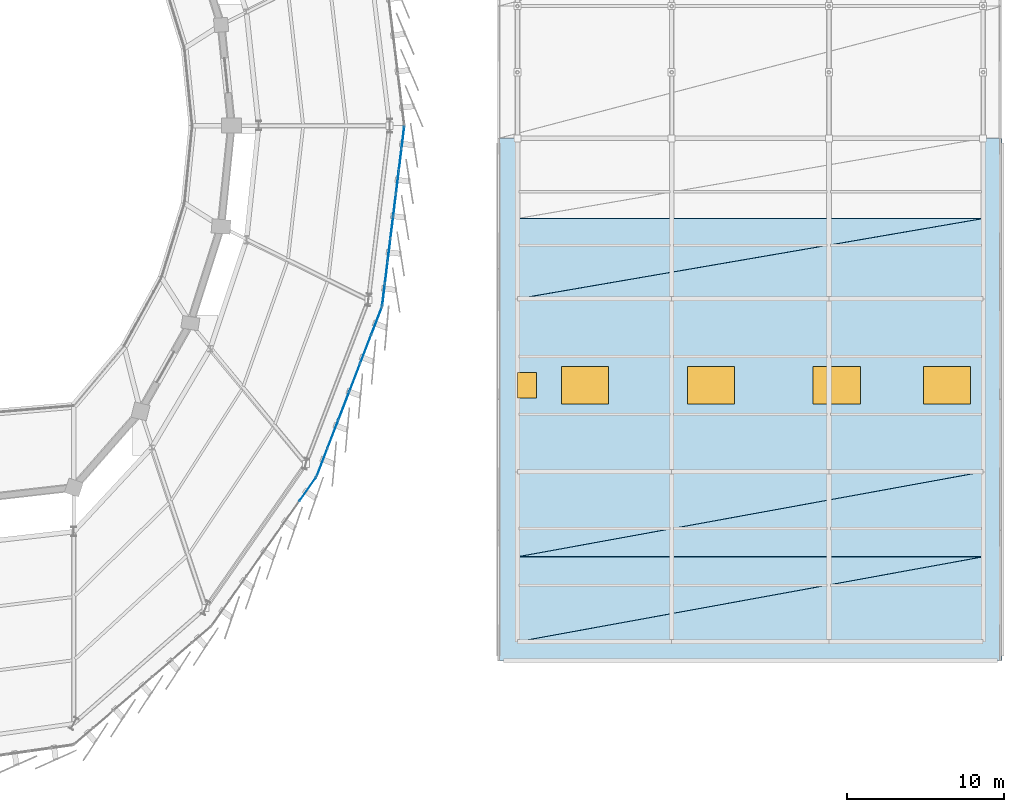
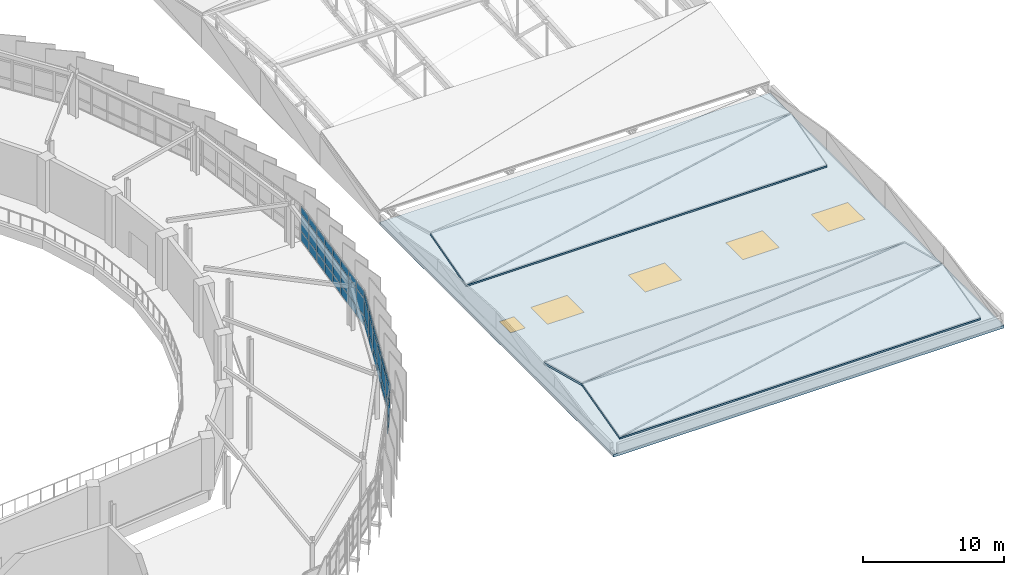
# One storey, part 70 of 87: 45 plates, 7 slabs, 4 windows, 1 door, 5 openings, 3 elements without a shape of their own.
"""IFC4 building model written with IfcOpenShell, lengths in metres."""

from ifc_helpers import new_model, si_unit, direction, frame, origin, origin_2d, place, context, subcontext, project, spatial, polyline, rectangle, outline, extrude, material, layer, layer_set, type_object, element, fill, aggregate, save


model = new_model("IFC4")

# Units and contexts
model_context = context("Model", 3, precision=1e-05, world=origin(), true_north=direction((0.0, 1.0)))
body_context = subcontext(model_context, "Body", "Model", "MODEL_VIEW")
ifc_project = project(units=[si_unit("LENGTHUNIT", "METRE"), si_unit("AREAUNIT", "SQUARE_METRE"), si_unit("VOLUMEUNIT", "CUBIC_METRE"), si_unit("PLANEANGLEUNIT", "RADIAN"), si_unit("MASSUNIT", "GRAM", prefix="KILO")], contexts=[model_context])

# Site, building, storey
site_placement = place(None, origin())
site = spatial("IfcSite", under=ifc_project, at=site_placement, CompositionType="ELEMENT")
building_placement = place(site_placement, origin())
building = spatial("IfcBuilding", under=site, at=building_placement, Name="Sohan Crest Arena", CompositionType="ELEMENT")
storey_placement = place(building_placement, frame((0.0, 0.0, 18.0)))
storey = spatial("IfcBuildingStorey", under=building, at=storey_placement, Name="L04", CompositionType="ELEMENT", Elevation=18.0)

# Curtain wall, plates
ifc_material_1 = material(Name="Thermally broken anodised aluminium", Category="aluminium")
ifc_layer_1 = layer(ifc_material_1, 0.219970703125, Name="Thermally broken anodised aluminium")
ifc_layer_set_1 = layer_set([ifc_layer_1], Name="Thermally broken anodised aluminium")
curtain_wall_type_1 = type_object("IfcCurtainWallType", Name="ARC-CW03", PredefinedType="NOTDEFINED", material=ifc_layer_set_1)
curtain_wall_1_placement = place(storey_placement, origin())
curtain_wall_1 = element("IfcCurtainWall", 1, at=curtain_wall_1_placement, inside=storey, type_object=curtain_wall_type_1, Name="Unitised curtain wall CW-132", PredefinedType="NOTDEFINED")
ifc_material_2 = material(Name="Low-E double-glazed insulated glass", Category="glass")
ifc_layer_2 = layer(ifc_material_2, 0.028076171875, Name="Low-E double-glazed insulated glass")
ifc_layer_set_2 = layer_set([ifc_layer_2], Name="Low-E double-glazed insulated glass")
plate_type_1 = type_object("IfcPlateType", Name="ARC-CNP01", PredefinedType="CURTAIN_PANEL", material=ifc_layer_set_2)
plate_1_placement = place(storey_placement, frame((182.866943359375, 54.893310546875, 0.070068359375), z_axis=(0.0, 0.0, 1.0), x_axis=(0.575424969546, 0.817854574128, 0.0)))
plate_1 = element("IfcPlate", 2, at=plate_1_placement, type_object=plate_type_1, Name="CW-132 panel 6.1", PredefinedType="CURTAIN_PANEL", context=body_context, shape_type="SweptSolid", body=[
    extrude(rectangle(XDim=1.840576171875, YDim=0.028076171875, at=origin_2d()), origin(), (0.0, 0.0, 1.0), 0.794921875),
])
plate_2_placement = place(storey_placement, frame((182.866943359375, 54.893310546875, 0.93505859375), z_axis=(0.0, 0.0, 1.0), x_axis=(0.575424969546, 0.817854574128, 0.0)))
plate_2 = element("IfcPlate", 3, at=plate_2_placement, type_object=plate_type_1, Name="CW-132 panel 6.2", PredefinedType="CURTAIN_PANEL", context=body_context, shape_type="SweptSolid", body=[
    extrude(rectangle(XDim=1.840576171875, YDim=0.028076171875, at=origin_2d()), origin(), (0.0, 0.0, 1.0), 1.449951171875),
])
plate_3_placement = place(storey_placement, frame((182.866943359375, 54.893310546875, 2.455078125), z_axis=(0.0, 0.0, 1.0), x_axis=(0.575424969546, 0.817854574128, 0.0)))
plate_3 = element("IfcPlate", 4, at=plate_3_placement, type_object=plate_type_1, Name="CW-132 panel 6.3", PredefinedType="CURTAIN_PANEL", context=body_context, shape_type="SweptSolid", body=[
    extrude(rectangle(XDim=1.840576171875, YDim=0.028076171875, at=origin_2d()), origin(), (0.0, 0.0, 1.0), 0.594970703125),
])
aggregate(curtain_wall_1, [plate_1, plate_2, plate_3])

ifc_layer_3 = layer(ifc_material_1, 0.239990234375, Name="Thermally broken anodised aluminium")
ifc_layer_set_3 = layer_set([ifc_layer_3], Name="Thermally broken anodised aluminium")
curtain_wall_type_2 = type_object("IfcCurtainWallType", Name="ARC-CW04", PredefinedType="NOTDEFINED", material=ifc_layer_set_3)
curtain_wall_2_placement = place(storey_placement, origin())
curtain_wall_2 = element("IfcCurtainWall", 5, at=curtain_wall_2_placement, inside=storey, type_object=curtain_wall_type_2, Name="Unitised curtain wall CW-133", PredefinedType="NOTDEFINED")
ifc_layer_4 = layer(ifc_material_2, 0.031982421875, Name="Low-E double-glazed insulated glass")
ifc_layer_set_4 = layer_set([ifc_layer_4], Name="Low-E double-glazed insulated glass")
plate_type_2 = type_object("IfcPlateType", Name="ARC-CNP02", PredefinedType="CURTAIN_PANEL", material=ifc_layer_set_4)
plate_4_placement = place(storey_placement, frame((183.783935546875, 56.61083984375, 0.06005859375), z_axis=(0.0, 0.0, 1.0), x_axis=(0.359632663337, 0.933093964969, 0.0)))
plate_4 = element("IfcPlate", 6, at=plate_4_placement, type_object=plate_type_2, Name="CW-133 panel 1.1", PredefinedType="CURTAIN_PANEL", context=body_context, shape_type="SweptSolid", body=[
    extrude(rectangle(XDim=1.833251953125, YDim=0.031982421875, at=origin_2d()), origin(), (0.0, 0.0, 1.0), 0.81005859375),
])
plate_5_placement = place(storey_placement, frame((183.783935546875, 56.61083984375, 0.929931640625), z_axis=(0.0, 0.0, 1.0), x_axis=(0.359632663337, 0.933093964969, 0.0)))
plate_5 = element("IfcPlate", 7, at=plate_5_placement, type_object=plate_type_2, Name="CW-133 panel 1.2", PredefinedType="CURTAIN_PANEL", context=body_context, shape_type="SweptSolid", body=[
    extrude(rectangle(XDim=1.833251953125, YDim=0.031982421875, at=origin_2d()), origin(), (0.0, 0.0, 1.0), 1.4599609375),
])
plate_6_placement = place(storey_placement, frame((183.783935546875, 56.61083984375, 2.44970703125), z_axis=(0.0, 0.0, 1.0), x_axis=(0.359632663337, 0.933093964969, 0.0)))
plate_6 = element("IfcPlate", 8, at=plate_6_placement, type_object=plate_type_2, Name="CW-133 panel 1.3", PredefinedType="CURTAIN_PANEL", context=body_context, shape_type="SweptSolid", body=[
    extrude(rectangle(XDim=1.833251953125, YDim=0.031982421875, at=origin_2d()), origin(), (0.0, 0.0, 1.0), 0.610107421875),
])
plate_7_placement = place(storey_placement, frame((184.472412109375, 58.397216796875, 0.06005859375), z_axis=(0.0, 0.0, 1.0), x_axis=(0.359632663337, 0.933093964969, 0.0)))
plate_7 = element("IfcPlate", 9, at=plate_7_placement, type_object=plate_type_2, Name="CW-133 panel 2.1", PredefinedType="CURTAIN_PANEL", context=body_context, shape_type="SweptSolid", body=[
    extrude(rectangle(XDim=1.86572265625, YDim=0.031982421875, at=origin_2d()), origin(), (0.0, 0.0, 1.0), 0.81005859375),
])
plate_8_placement = place(storey_placement, frame((184.472412109375, 58.397216796875, 0.929931640625), z_axis=(0.0, 0.0, 1.0), x_axis=(0.359632663337, 0.933093964969, 0.0)))
plate_8 = element("IfcPlate", 10, at=plate_8_placement, type_object=plate_type_2, Name="CW-133 panel 2.2", PredefinedType="CURTAIN_PANEL", context=body_context, shape_type="SweptSolid", body=[
    extrude(rectangle(XDim=1.86572265625, YDim=0.031982421875, at=origin_2d()), origin(), (0.0, 0.0, 1.0), 1.4599609375),
])
plate_9_placement = place(storey_placement, frame((184.472412109375, 58.397216796875, 2.44970703125), z_axis=(0.0, 0.0, 1.0), x_axis=(0.359632663337, 0.933093964969, 0.0)))
plate_9 = element("IfcPlate", 11, at=plate_9_placement, type_object=plate_type_2, Name="CW-133 panel 2.3", PredefinedType="CURTAIN_PANEL", context=body_context, shape_type="SweptSolid", body=[
    extrude(rectangle(XDim=1.86572265625, YDim=0.031982421875, at=origin_2d()), origin(), (0.0, 0.0, 1.0), 0.610107421875),
])
plate_10_placement = place(storey_placement, frame((185.166748046875, 60.19873046875, 0.06005859375), z_axis=(0.0, 0.0, 1.0), x_axis=(0.359632663337, 0.933093964969, 0.0)))
plate_10 = element("IfcPlate", 12, at=plate_10_placement, type_object=plate_type_2, Name="CW-133 panel 3.1", PredefinedType="CURTAIN_PANEL", context=body_context, shape_type="SweptSolid", body=[
    extrude(rectangle(XDim=1.86572265625, YDim=0.031982421875, at=origin_2d()), origin(), (0.0, 0.0, 1.0), 0.81005859375),
])
plate_11_placement = place(storey_placement, frame((185.166748046875, 60.19873046875, 0.929931640625), z_axis=(0.0, 0.0, 1.0), x_axis=(0.359632663337, 0.933093964969, 0.0)))
plate_11 = element("IfcPlate", 13, at=plate_11_placement, type_object=plate_type_2, Name="CW-133 panel 3.2", PredefinedType="CURTAIN_PANEL", context=body_context, shape_type="SweptSolid", body=[
    extrude(rectangle(XDim=1.86572265625, YDim=0.031982421875, at=origin_2d()), origin(), (0.0, 0.0, 1.0), 1.4599609375),
])
plate_12_placement = place(storey_placement, frame((185.166748046875, 60.19873046875, 2.44970703125), z_axis=(0.0, 0.0, 1.0), x_axis=(0.359632663337, 0.933093964969, 0.0)))
plate_12 = element("IfcPlate", 14, at=plate_12_placement, type_object=plate_type_2, Name="CW-133 panel 3.3", PredefinedType="CURTAIN_PANEL", context=body_context, shape_type="SweptSolid", body=[
    extrude(rectangle(XDim=1.86572265625, YDim=0.031982421875, at=origin_2d()), origin(), (0.0, 0.0, 1.0), 0.610107421875),
])
plate_13_placement = place(storey_placement, frame((185.861083984375, 62.000244140625, 0.06005859375), z_axis=(0.0, 0.0, 1.0), x_axis=(0.359632663337, 0.933093964969, 0.0)))
plate_13 = element("IfcPlate", 15, at=plate_13_placement, type_object=plate_type_2, Name="CW-133 panel 4.1", PredefinedType="CURTAIN_PANEL", context=body_context, shape_type="SweptSolid", body=[
    extrude(rectangle(XDim=1.86572265625, YDim=0.031982421875, at=origin_2d()), origin(), (0.0, 0.0, 1.0), 0.81005859375),
])
plate_14_placement = place(storey_placement, frame((185.861083984375, 62.000244140625, 0.929931640625), z_axis=(0.0, 0.0, 1.0), x_axis=(0.359632663337, 0.933093964969, 0.0)))
plate_14 = element("IfcPlate", 16, at=plate_14_placement, type_object=plate_type_2, Name="CW-133 panel 4.2", PredefinedType="CURTAIN_PANEL", context=body_context, shape_type="SweptSolid", body=[
    extrude(rectangle(XDim=1.86572265625, YDim=0.031982421875, at=origin_2d()), origin(), (0.0, 0.0, 1.0), 1.4599609375),
])
plate_15_placement = place(storey_placement, frame((185.861083984375, 62.000244140625, 2.44970703125), z_axis=(0.0, 0.0, 1.0), x_axis=(0.359632663337, 0.933093964969, 0.0)))
plate_15 = element("IfcPlate", 17, at=plate_15_placement, type_object=plate_type_2, Name="CW-133 panel 4.3", PredefinedType="CURTAIN_PANEL", context=body_context, shape_type="SweptSolid", body=[
    extrude(rectangle(XDim=1.86572265625, YDim=0.031982421875, at=origin_2d()), origin(), (0.0, 0.0, 1.0), 0.610107421875),
])
plate_16_placement = place(storey_placement, frame((186.555419921875, 63.8017578125, 0.06005859375), z_axis=(0.0, 0.0, 1.0), x_axis=(0.359632663337, 0.933093964969, 0.0)))
plate_16 = element("IfcPlate", 18, at=plate_16_placement, type_object=plate_type_2, Name="CW-133 panel 5.1", PredefinedType="CURTAIN_PANEL", context=body_context, shape_type="SweptSolid", body=[
    extrude(rectangle(XDim=1.86572265625, YDim=0.031982421875, at=origin_2d()), origin(), (0.0, 0.0, 1.0), 0.81005859375),
])
plate_17_placement = place(storey_placement, frame((186.555419921875, 63.8017578125, 0.929931640625), z_axis=(0.0, 0.0, 1.0), x_axis=(0.359632663337, 0.933093964969, 0.0)))
plate_17 = element("IfcPlate", 19, at=plate_17_placement, type_object=plate_type_2, Name="CW-133 panel 5.2", PredefinedType="CURTAIN_PANEL", context=body_context, shape_type="SweptSolid", body=[
    extrude(rectangle(XDim=1.86572265625, YDim=0.031982421875, at=origin_2d()), origin(), (0.0, 0.0, 1.0), 1.4599609375),
])
plate_18_placement = place(storey_placement, frame((186.555419921875, 63.8017578125, 2.44970703125), z_axis=(0.0, 0.0, 1.0), x_axis=(0.359632663337, 0.933093964969, 0.0)))
plate_18 = element("IfcPlate", 20, at=plate_18_placement, type_object=plate_type_2, Name="CW-133 panel 5.3", PredefinedType="CURTAIN_PANEL", context=body_context, shape_type="SweptSolid", body=[
    extrude(rectangle(XDim=1.86572265625, YDim=0.031982421875, at=origin_2d()), origin(), (0.0, 0.0, 1.0), 0.610107421875),
])
plate_19_placement = place(storey_placement, frame((187.243896484375, 65.588134765625, 0.06005859375), z_axis=(0.0, 0.0, 1.0), x_axis=(0.359632663337, 0.933093964969, 0.0)))
plate_19 = element("IfcPlate", 21, at=plate_19_placement, type_object=plate_type_2, Name="CW-133 panel 6.1", PredefinedType="CURTAIN_PANEL", context=body_context, shape_type="SweptSolid", body=[
    extrude(rectangle(XDim=1.833251953125, YDim=0.031982421875, at=origin_2d()), origin(), (0.0, 0.0, 1.0), 0.81005859375),
])
plate_20_placement = place(storey_placement, frame((187.243896484375, 65.588134765625, 0.929931640625), z_axis=(0.0, 0.0, 1.0), x_axis=(0.359632663337, 0.933093964969, 0.0)))
plate_20 = element("IfcPlate", 22, at=plate_20_placement, type_object=plate_type_2, Name="CW-133 panel 6.2", PredefinedType="CURTAIN_PANEL", context=body_context, shape_type="SweptSolid", body=[
    extrude(rectangle(XDim=1.833251953125, YDim=0.031982421875, at=origin_2d()), origin(), (0.0, 0.0, 1.0), 1.4599609375),
])
plate_21_placement = place(storey_placement, frame((187.243896484375, 65.588134765625, 2.44970703125), z_axis=(0.0, 0.0, 1.0), x_axis=(0.359632663337, 0.933093964969, 0.0)))
plate_21 = element("IfcPlate", 23, at=plate_21_placement, type_object=plate_type_2, Name="CW-133 panel 6.3", PredefinedType="CURTAIN_PANEL", context=body_context, shape_type="SweptSolid", body=[
    extrude(rectangle(XDim=1.833251953125, YDim=0.031982421875, at=origin_2d()), origin(), (0.0, 0.0, 1.0), 0.610107421875),
])
aggregate(curtain_wall_2, [plate_4, plate_5, plate_6, plate_7, plate_8, plate_9, plate_10, plate_11, plate_12, plate_13, plate_14, plate_15, plate_16, plate_17, plate_18, plate_19, plate_20, plate_21])

ifc_layer_5 = layer(ifc_material_1, 0.18994140625, Name="Thermally broken anodised aluminium")
ifc_layer_set_5 = layer_set([ifc_layer_5], Name="Thermally broken anodised aluminium")
curtain_wall_type_3 = type_object("IfcCurtainWallType", Name="ARC-CW05", PredefinedType="NOTDEFINED", material=ifc_layer_set_5)
curtain_wall_3_placement = place(storey_placement, origin())
curtain_wall_3 = element("IfcCurtainWall", 24, at=curtain_wall_3_placement, inside=storey, type_object=curtain_wall_type_3, Name="Unitised curtain wall CW-134", PredefinedType="NOTDEFINED")
ifc_material_3 = material(Name="Ceramic-fritted solar-control insulated glass", Category="glass")
ifc_layer_6 = layer(ifc_material_3, 0.035888671875, Name="Ceramic-fritted solar-control insulated glass")
ifc_layer_set_6 = layer_set([ifc_layer_6], Name="Ceramic-fritted solar-control insulated glass")
plate_type_3 = type_object("IfcPlateType", Name="ARC-CNP03", PredefinedType="CURTAIN_PANEL", material=ifc_layer_set_6)
plate_22_placement = place(storey_placement, frame((187.687744140625, 67.239990234375, 0.06494140625), z_axis=(0.0, 0.0, 1.0), x_axis=(0.122334448372, 0.992488933309, 0.0)))
plate_22 = element("IfcPlate", 25, at=plate_22_placement, type_object=plate_type_3, Name="CW-134 panel 1.1", PredefinedType="CURTAIN_PANEL", context=body_context, shape_type="SweptSolid", body=[
    extrude(rectangle(XDim=1.3427734375, YDim=0.035888671875, at=origin_2d()), origin(), (0.0, 0.0, 1.0), 0.802490234375),
])
plate_23_placement = place(storey_placement, frame((187.687744140625, 67.239990234375, 0.932373046875), z_axis=(0.0, 0.0, 1.0), x_axis=(0.122334448372, 0.992488933309, 0.0)))
plate_23 = element("IfcPlate", 26, at=plate_23_placement, type_object=plate_type_3, Name="CW-134 panel 1.2", PredefinedType="CURTAIN_PANEL", context=body_context, shape_type="SweptSolid", body=[
    extrude(rectangle(XDim=1.3427734375, YDim=0.035888671875, at=origin_2d()), origin(), (0.0, 0.0, 1.0), 1.455078125),
])
plate_24_placement = place(storey_placement, frame((187.687744140625, 67.239990234375, 2.452392578125), z_axis=(0.0, 0.0, 1.0), x_axis=(0.122334448372, 0.992488933309, 0.0)))
plate_24 = element("IfcPlate", 27, at=plate_24_placement, type_object=plate_type_3, Name="CW-134 panel 1.3", PredefinedType="CURTAIN_PANEL", context=body_context, shape_type="SweptSolid", body=[
    extrude(rectangle(XDim=1.3427734375, YDim=0.035888671875, at=origin_2d()), origin(), (0.0, 0.0, 1.0), 0.6025390625),
])
plate_25_placement = place(storey_placement, frame((187.86279296875, 68.659423828125, 0.06494140625), z_axis=(0.0, 0.0, 1.0), x_axis=(0.122334448372, 0.992488933309, 0.0)))
plate_25 = element("IfcPlate", 28, at=plate_25_placement, type_object=plate_type_3, Name="CW-134 panel 2.1", PredefinedType="CURTAIN_PANEL", context=body_context, shape_type="SweptSolid", body=[
    extrude(rectangle(XDim=1.3779296875, YDim=0.035888671875, at=origin_2d()), origin(), (0.0, 0.0, 1.0), 0.802490234375),
])
plate_26_placement = place(storey_placement, frame((187.86279296875, 68.659423828125, 0.932373046875), z_axis=(0.0, 0.0, 1.0), x_axis=(0.122334448372, 0.992488933309, 0.0)))
plate_26 = element("IfcPlate", 29, at=plate_26_placement, type_object=plate_type_3, Name="CW-134 panel 2.2", PredefinedType="CURTAIN_PANEL", context=body_context, shape_type="SweptSolid", body=[
    extrude(rectangle(XDim=1.3779296875, YDim=0.035888671875, at=origin_2d()), origin(), (0.0, 0.0, 1.0), 1.455078125),
])
plate_27_placement = place(storey_placement, frame((187.86279296875, 68.659423828125, 2.452392578125), z_axis=(0.0, 0.0, 1.0), x_axis=(0.122334448372, 0.992488933309, 0.0)))
plate_27 = element("IfcPlate", 30, at=plate_27_placement, type_object=plate_type_3, Name="CW-134 panel 2.3", PredefinedType="CURTAIN_PANEL", context=body_context, shape_type="SweptSolid", body=[
    extrude(rectangle(XDim=1.3779296875, YDim=0.035888671875, at=origin_2d()), origin(), (0.0, 0.0, 1.0), 0.6025390625),
])
plate_28_placement = place(storey_placement, frame((188.039794921875, 70.096435546875, 0.06494140625), z_axis=(0.0, 0.0, 1.0), x_axis=(0.122334448372, 0.992488933309, 0.0)))
plate_28 = element("IfcPlate", 31, at=plate_28_placement, type_object=plate_type_3, Name="CW-134 panel 3.1", PredefinedType="CURTAIN_PANEL", context=body_context, shape_type="SweptSolid", body=[
    extrude(rectangle(XDim=1.3779296875, YDim=0.035888671875, at=origin_2d()), origin(), (0.0, 0.0, 1.0), 0.802490234375),
])
plate_29_placement = place(storey_placement, frame((188.039794921875, 70.096435546875, 0.932373046875), z_axis=(0.0, 0.0, 1.0), x_axis=(0.122334448372, 0.992488933309, 0.0)))
plate_29 = element("IfcPlate", 32, at=plate_29_placement, type_object=plate_type_3, Name="CW-134 panel 3.2", PredefinedType="CURTAIN_PANEL", context=body_context, shape_type="SweptSolid", body=[
    extrude(rectangle(XDim=1.3779296875, YDim=0.035888671875, at=origin_2d()), origin(), (0.0, 0.0, 1.0), 1.455078125),
])
plate_30_placement = place(storey_placement, frame((188.039794921875, 70.096435546875, 2.452392578125), z_axis=(0.0, 0.0, 1.0), x_axis=(0.122334448372, 0.992488933309, 0.0)))
plate_30 = element("IfcPlate", 33, at=plate_30_placement, type_object=plate_type_3, Name="CW-134 panel 3.3", PredefinedType="CURTAIN_PANEL", context=body_context, shape_type="SweptSolid", body=[
    extrude(rectangle(XDim=1.3779296875, YDim=0.035888671875, at=origin_2d()), origin(), (0.0, 0.0, 1.0), 0.6025390625),
])
plate_31_placement = place(storey_placement, frame((188.217041015625, 71.533447265625, 0.06494140625), z_axis=(0.0, 0.0, 1.0), x_axis=(0.122334448372, 0.992488933309, 0.0)))
plate_31 = element("IfcPlate", 34, at=plate_31_placement, type_object=plate_type_3, Name="CW-134 panel 4.1", PredefinedType="CURTAIN_PANEL", context=body_context, shape_type="SweptSolid", body=[
    extrude(rectangle(XDim=1.3779296875, YDim=0.035888671875, at=origin_2d()), origin(), (0.0, 0.0, 1.0), 0.802490234375),
])
plate_32_placement = place(storey_placement, frame((188.217041015625, 71.533447265625, 0.932373046875), z_axis=(0.0, 0.0, 1.0), x_axis=(0.122334448372, 0.992488933309, 0.0)))
plate_32 = element("IfcPlate", 35, at=plate_32_placement, type_object=plate_type_3, Name="CW-134 panel 4.2", PredefinedType="CURTAIN_PANEL", context=body_context, shape_type="SweptSolid", body=[
    extrude(rectangle(XDim=1.3779296875, YDim=0.035888671875, at=origin_2d()), origin(), (0.0, 0.0, 1.0), 1.455078125),
])
plate_33_placement = place(storey_placement, frame((188.217041015625, 71.533447265625, 2.452392578125), z_axis=(0.0, 0.0, 1.0), x_axis=(0.122334448372, 0.992488933309, 0.0)))
plate_33 = element("IfcPlate", 36, at=plate_33_placement, type_object=plate_type_3, Name="CW-134 panel 4.3", PredefinedType="CURTAIN_PANEL", context=body_context, shape_type="SweptSolid", body=[
    extrude(rectangle(XDim=1.3779296875, YDim=0.035888671875, at=origin_2d()), origin(), (0.0, 0.0, 1.0), 0.6025390625),
])
plate_34_placement = place(storey_placement, frame((188.39404296875, 72.970458984375, 0.06494140625), z_axis=(0.0, 0.0, 1.0), x_axis=(0.122334448372, 0.992488933309, 0.0)))
plate_34 = element("IfcPlate", 37, at=plate_34_placement, type_object=plate_type_3, Name="CW-134 panel 5.1", PredefinedType="CURTAIN_PANEL", context=body_context, shape_type="SweptSolid", body=[
    extrude(rectangle(XDim=1.3779296875, YDim=0.035888671875, at=origin_2d()), origin(), (0.0, 0.0, 1.0), 0.802490234375),
])
plate_35_placement = place(storey_placement, frame((188.39404296875, 72.970458984375, 0.932373046875), z_axis=(0.0, 0.0, 1.0), x_axis=(0.122334448372, 0.992488933309, 0.0)))
plate_35 = element("IfcPlate", 38, at=plate_35_placement, type_object=plate_type_3, Name="CW-134 panel 5.2", PredefinedType="CURTAIN_PANEL", context=body_context, shape_type="SweptSolid", body=[
    extrude(rectangle(XDim=1.3779296875, YDim=0.035888671875, at=origin_2d()), origin(), (0.0, 0.0, 1.0), 1.455078125),
])
plate_36_placement = place(storey_placement, frame((188.39404296875, 72.970458984375, 2.452392578125), z_axis=(0.0, 0.0, 1.0), x_axis=(0.122334448372, 0.992488933309, 0.0)))
plate_36 = element("IfcPlate", 39, at=plate_36_placement, type_object=plate_type_3, Name="CW-134 panel 5.3", PredefinedType="CURTAIN_PANEL", context=body_context, shape_type="SweptSolid", body=[
    extrude(rectangle(XDim=1.3779296875, YDim=0.035888671875, at=origin_2d()), origin(), (0.0, 0.0, 1.0), 0.6025390625),
])
plate_37_placement = place(storey_placement, frame((188.5712890625, 74.407470703125, 0.06494140625), z_axis=(0.0, 0.0, 1.0), x_axis=(0.122334448372, 0.992488933309, 0.0)))
plate_37 = element("IfcPlate", 40, at=plate_37_placement, type_object=plate_type_3, Name="CW-134 panel 6.1", PredefinedType="CURTAIN_PANEL", context=body_context, shape_type="SweptSolid", body=[
    extrude(rectangle(XDim=1.3779296875, YDim=0.035888671875, at=origin_2d()), origin(), (0.0, 0.0, 1.0), 0.802490234375),
])
plate_38_placement = place(storey_placement, frame((188.5712890625, 74.407470703125, 0.932373046875), z_axis=(0.0, 0.0, 1.0), x_axis=(0.122334448372, 0.992488933309, 0.0)))
plate_38 = element("IfcPlate", 41, at=plate_38_placement, type_object=plate_type_3, Name="CW-134 panel 6.2", PredefinedType="CURTAIN_PANEL", context=body_context, shape_type="SweptSolid", body=[
    extrude(rectangle(XDim=1.3779296875, YDim=0.035888671875, at=origin_2d()), origin(), (0.0, 0.0, 1.0), 1.455078125),
])
plate_39_placement = place(storey_placement, frame((188.5712890625, 74.407470703125, 2.452392578125), z_axis=(0.0, 0.0, 1.0), x_axis=(0.122334448372, 0.992488933309, 0.0)))
plate_39 = element("IfcPlate", 42, at=plate_39_placement, type_object=plate_type_3, Name="CW-134 panel 6.3", PredefinedType="CURTAIN_PANEL", context=body_context, shape_type="SweptSolid", body=[
    extrude(rectangle(XDim=1.3779296875, YDim=0.035888671875, at=origin_2d()), origin(), (0.0, 0.0, 1.0), 0.6025390625),
])
plate_40_placement = place(storey_placement, frame((188.748291015625, 75.844482421875, 0.06494140625), z_axis=(0.0, 0.0, 1.0), x_axis=(0.122334448372, 0.992488933309, 0.0)))
plate_40 = element("IfcPlate", 43, at=plate_40_placement, type_object=plate_type_3, Name="CW-134 panel 7.1", PredefinedType="CURTAIN_PANEL", context=body_context, shape_type="SweptSolid", body=[
    extrude(rectangle(XDim=1.3779296875, YDim=0.035888671875, at=origin_2d()), origin(), (0.0, 0.0, 1.0), 0.802490234375),
])
plate_41_placement = place(storey_placement, frame((188.748291015625, 75.844482421875, 0.932373046875), z_axis=(0.0, 0.0, 1.0), x_axis=(0.122334448372, 0.992488933309, 0.0)))
plate_41 = element("IfcPlate", 44, at=plate_41_placement, type_object=plate_type_3, Name="CW-134 panel 7.2", PredefinedType="CURTAIN_PANEL", context=body_context, shape_type="SweptSolid", body=[
    extrude(rectangle(XDim=1.3779296875, YDim=0.035888671875, at=origin_2d()), origin(), (0.0, 0.0, 1.0), 1.455078125),
])
plate_42_placement = place(storey_placement, frame((188.748291015625, 75.844482421875, 2.452392578125), z_axis=(0.0, 0.0, 1.0), x_axis=(0.122334448372, 0.992488933309, 0.0)))
plate_42 = element("IfcPlate", 45, at=plate_42_placement, type_object=plate_type_3, Name="CW-134 panel 7.3", PredefinedType="CURTAIN_PANEL", context=body_context, shape_type="SweptSolid", body=[
    extrude(rectangle(XDim=1.3779296875, YDim=0.035888671875, at=origin_2d()), origin(), (0.0, 0.0, 1.0), 0.6025390625),
])
plate_43_placement = place(storey_placement, frame((188.92333984375, 77.26416015625, 0.06494140625), z_axis=(0.0, 0.0, 1.0), x_axis=(0.122334448372, 0.992488933309, 0.0)))
plate_43 = element("IfcPlate", 46, at=plate_43_placement, type_object=plate_type_3, Name="CW-134 panel 8.1", PredefinedType="CURTAIN_PANEL", context=body_context, shape_type="SweptSolid", body=[
    extrude(rectangle(XDim=1.3427734375, YDim=0.035888671875, at=origin_2d()), origin(), (0.0, 0.0, 1.0), 0.802490234375),
])
plate_44_placement = place(storey_placement, frame((188.92333984375, 77.26416015625, 0.932373046875), z_axis=(0.0, 0.0, 1.0), x_axis=(0.122334448372, 0.992488933309, 0.0)))
plate_44 = element("IfcPlate", 47, at=plate_44_placement, type_object=plate_type_3, Name="CW-134 panel 8.2", PredefinedType="CURTAIN_PANEL", context=body_context, shape_type="SweptSolid", body=[
    extrude(rectangle(XDim=1.3427734375, YDim=0.035888671875, at=origin_2d()), origin(), (0.0, 0.0, 1.0), 1.455078125),
])
plate_45_placement = place(storey_placement, frame((188.92333984375, 77.26416015625, 2.452392578125), z_axis=(0.0, 0.0, 1.0), x_axis=(0.122334448372, 0.992488933309, 0.0)))
plate_45 = element("IfcPlate", 48, at=plate_45_placement, type_object=plate_type_3, Name="CW-134 panel 8.3", PredefinedType="CURTAIN_PANEL", context=body_context, shape_type="SweptSolid", body=[
    extrude(rectangle(XDim=1.3427734375, YDim=0.035888671875, at=origin_2d()), origin(), (0.0, 0.0, 1.0), 0.6025390625),
])
aggregate(curtain_wall_3, [plate_22, plate_23, plate_24, plate_25, plate_26, plate_27, plate_28, plate_29, plate_30, plate_31, plate_32, plate_33, plate_34, plate_35, plate_36, plate_37, plate_38, plate_39, plate_40, plate_41, plate_42, plate_43, plate_44, plate_45])

# Slabs
ifc_material_4 = material(Name="Concrete C40/50", Category="concrete")
ifc_layer_7 = layer(ifc_material_4, 0.175048828125, Name="Concrete C40/50")
ifc_layer_set_7 = layer_set([ifc_layer_7], Name="Concrete C40/50")
slab_type_1 = type_object("IfcSlabType", Name="SL-RF01", PredefinedType="ROOF", material=ifc_layer_set_7)
slab_1_placement = place(storey_placement, frame((196.239013671875, 45.2041015625, 0.2958984375), z_axis=(0.0, -0.251470381991, 0.967864994191), x_axis=(1.0, 0.0, 0.0)))
element("IfcSlab", 49, at=slab_1_placement, inside=storey, type_object=slab_type_1, Name="Sloped roof deck panel RF-SL-137", PredefinedType="ROOF", context=body_context, shape_type="SweptSolid", body=[
    extrude(outline(polyline([(0.0, 0.0), (29.541015625, 0.0), (29.541015625, 5.567838539430476), (0.0, 0.0)])), origin(), (0.0, 0.0, -1.0), 0.175048828125),
])
slab_2_placement = place(storey_placement, frame((196.219970703125, 45.20703125, 0.2958984375), z_axis=(0.0, -0.251470381991, 0.967864994191), x_axis=(0.982697623953, 0.179265162426, 0.046576618788)))
element("IfcSlab", 50, at=slab_2_placement, inside=storey, type_object=slab_type_1, Name="Sloped roof deck panel RF-SL-138", PredefinedType="ROOF", context=body_context, shape_type="SweptSolid", body=[
    extrude(outline(polyline([(0.0, 0.0), (30.0611448577339, -1.4432899320127035e-15), (1.0312589938899697, 5.4715017032518904), (0.0, 0.0)])), origin(), (0.0, 0.0, -1.0), 0.175048828125),
])
slab_3_placement = place(storey_placement, frame((196.239013671875, 50.60400390625, 1.696044921875), z_axis=(0.0, 0.251470381991, 0.967864994191), x_axis=(1.0, 0.0, 0.0)))
element("IfcSlab", 51, at=slab_3_placement, inside=storey, type_object=slab_type_1, Name="Sloped roof deck panel RF-SL-139", PredefinedType="ROOF", context=body_context, shape_type="SweptSolid", body=[
    extrude(outline(polyline([(0.0, 0.0), (29.541015625, 0.0), (29.541015625, 5.567838539430476), (0.0, 0.0)])), origin(), (0.0, 0.0, -1.0), 0.175048828125),
])
slab_4_placement = place(storey_placement, frame((196.219970703125, 50.60693359375, 1.696044921875), z_axis=(0.0, 0.251459710202, 0.96786776687), x_axis=(0.982696193218, 0.179273022885, -0.046576550976)))
element("IfcSlab", 52, at=slab_4_placement, inside=storey, type_object=slab_type_1, Name="Sloped roof deck panel RF-SL-140", PredefinedType="ROOF", context=body_context, shape_type="SweptSolid", body=[
    extrude(outline(polyline([(0.0, 0.0), (30.061188624602227, 1.6653345369377348e-16), (1.03134502612604, 5.4717259438412365), (0.0, 0.0)])), origin(), (0.0, 0.0, -1.0), 0.175048828125),
])
slab_5_placement = place(storey_placement, frame((196.239013671875, 67.0029296875, 0.2958984375), z_axis=(0.0, -0.265222049385, 0.964187359656), x_axis=(1.0, 0.0, 0.0)))
element("IfcSlab", 53, at=slab_5_placement, inside=storey, type_object=slab_type_1, Name="Sloped roof deck panel RF-SL-141", PredefinedType="ROOF", context=body_context, shape_type="SweptSolid", body=[
    extrude(outline(polyline([(0.0, 0.0), (29.541015625, 0.0), (29.541015625, 5.279148123702813), (0.0, 0.0)])), origin(), (0.0, 0.0, -1.0), 0.175048828125),
])
slab_6_placement = place(storey_placement, frame((196.219970703125, 67.007080078125, 0.2958984375), z_axis=(0.0, -0.265233876148, 0.964184106353), x_axis=(0.98440605042, 0.169610721811, 0.046657592555)))
element("IfcSlab", 54, at=slab_6_placement, inside=storey, type_object=slab_type_1, Name="Sloped roof deck panel RF-SL-142", PredefinedType="ROOF", context=body_context, shape_type="SweptSolid", body=[
    extrude(outline(polyline([(0.0, 0.0), (30.008974053333045, 1.1102230246251565e-16), (0.9286195365291605, 5.196593627896846), (0.0, 0.0)])), origin(), (0.0, 0.0, -1.0), 0.175048828125),
])

# Slab, openings, door, windows
ifc_layer_8 = layer(ifc_material_4, 0.239990234375, Name="Concrete C40/50")
ifc_layer_set_8 = layer_set([ifc_layer_8], Name="Concrete C40/50")
slab_type_2 = type_object("IfcSlabType", Name="SL-RF04", PredefinedType="ROOF", material=ifc_layer_set_8)
slab_7_placement = place(storey_placement, frame((0.0, 0.0, -0.239990234375)))
slab_7 = element("IfcSlab", 55, at=slab_7_placement, inside=storey, type_object=slab_type_2, Name="Community sports wing L04 roof slab RF-V4S", PredefinedType="ROOF", context=body_context, shape_type="SweptSolid", body=[
    extrude(outline(polyline([(195.0, 44.0), (227.0, 44.0), (227.0, 77.199951171875), (195.0, 77.199951171875), (195.0, 44.0)])), origin(), (0.0, 0.0, 1.0), 0.239990234375),
])
opening_1_placement = place(slab_7_placement, frame((200.5, 61.5, 0.0)))
opening_1 = element("IfcOpeningElement", 56, at=opening_1_placement, cuts=slab_7, Name="Opening SK-05", PredefinedType="OPENING", context=body_context, shape_type="SweptSolid", body=[
    extrude(rectangle(XDim=3.0, YDim=2.39990234375, at=origin_2d()), origin(), (0.0, 0.0, 1.0), 0.239990234375),
])
opening_2_placement = place(slab_7_placement, frame((208.5, 61.5, 0.0)))
opening_2 = element("IfcOpeningElement", 57, at=opening_2_placement, cuts=slab_7, Name="Opening SK-06", PredefinedType="OPENING", context=body_context, shape_type="SweptSolid", body=[
    extrude(rectangle(XDim=3.0, YDim=2.39990234375, at=origin_2d()), origin(), (0.0, 0.0, 1.0), 0.239990234375),
])
opening_3_placement = place(slab_7_placement, frame((216.5, 61.5, 0.0)))
opening_3 = element("IfcOpeningElement", 58, at=opening_3_placement, cuts=slab_7, Name="Opening SK-07", PredefinedType="OPENING", context=body_context, shape_type="SweptSolid", body=[
    extrude(rectangle(XDim=3.0, YDim=2.39990234375, at=origin_2d()), origin(), (0.0, 0.0, 1.0), 0.239990234375),
])
opening_4_placement = place(slab_7_placement, frame((223.5, 61.5, 0.0)))
opening_4 = element("IfcOpeningElement", 59, at=opening_4_placement, cuts=slab_7, Name="Opening SK-08", PredefinedType="OPENING", context=body_context, shape_type="SweptSolid", body=[
    extrude(rectangle(XDim=3.0, YDim=2.39990234375, at=origin_2d()), origin(), (0.0, 0.0, 1.0), 0.239990234375),
])
opening_5_placement = place(slab_7_placement, frame((196.800048828125, 61.5, 0.0)))
opening_5 = element("IfcOpeningElement", 60, at=opening_5_placement, cuts=slab_7, Name="Opening RH-01", PredefinedType="OPENING", context=body_context, shape_type="SweptSolid", body=[
    extrude(rectangle(XDim=1.199951171875, YDim=1.60009765625, at=origin_2d()), origin(), (0.0, 0.0, 1.0), 0.239990234375),
])
ifc_material_5 = material(Name="Insulated aluminium roof access hatch", Category="aluminium")
door_type = type_object("IfcDoorType", Name="DR-RH02", OperationType="SINGLE_SWING_LEFT", PredefinedType="TRAPDOOR", material=ifc_material_5)
door_placement = place(opening_5_placement, frame((0.0, 0.0, 0.18994140625)))
door = element("IfcDoor", 61, at=door_placement, inside=storey, type_object=door_type, Name="Practice wing roof hatch RH-01", OperationType="SINGLE_SWING_LEFT", OverallHeight=1.60009765625, OverallWidth=1.199951171875, PredefinedType="TRAPDOOR", context=body_context, shape_type="SweptSolid", body=[
    extrude(rectangle(XDim=1.199951171875, YDim=1.60009765625, at=origin_2d()), origin(), (0.0, 0.0, 1.0), 0.050048828125),
])
fill(opening_5, door)
window_type = type_object("IfcWindowType", Name="WIN-SK02", PartitioningType="SINGLE_PANEL", PredefinedType="SKYLIGHT", material=ifc_material_2)
window_1_placement = place(opening_1_placement, frame((0.0, 0.0, 0.18994140625)))
window_1 = element("IfcWindow", 62, at=window_1_placement, inside=storey, type_object=window_type, Name="Studio roof skylight SK-05", OverallHeight=2.39990234375, OverallWidth=3.0, PartitioningType="SINGLE_PANEL", PredefinedType="SKYLIGHT", context=body_context, shape_type="SweptSolid", body=[
    extrude(rectangle(XDim=3.0, YDim=2.39990234375, at=origin_2d()), origin(), (0.0, 0.0, 1.0), 0.050048828125),
])
fill(opening_1, window_1)
window_2_placement = place(opening_2_placement, frame((0.0, 0.0, 0.18994140625)))
window_2 = element("IfcWindow", 63, at=window_2_placement, inside=storey, type_object=window_type, Name="Studio roof skylight SK-06", OverallHeight=2.39990234375, OverallWidth=3.0, PartitioningType="SINGLE_PANEL", PredefinedType="SKYLIGHT", context=body_context, shape_type="SweptSolid", body=[
    extrude(rectangle(XDim=3.0, YDim=2.39990234375, at=origin_2d()), origin(), (0.0, 0.0, 1.0), 0.050048828125),
])
fill(opening_2, window_2)
window_3_placement = place(opening_3_placement, frame((0.0, 0.0, 0.18994140625)))
window_3 = element("IfcWindow", 64, at=window_3_placement, inside=storey, type_object=window_type, Name="Studio roof skylight SK-07", OverallHeight=2.39990234375, OverallWidth=3.0, PartitioningType="SINGLE_PANEL", PredefinedType="SKYLIGHT", context=body_context, shape_type="SweptSolid", body=[
    extrude(rectangle(XDim=3.0, YDim=2.39990234375, at=origin_2d()), origin(), (0.0, 0.0, 1.0), 0.050048828125),
])
fill(opening_3, window_3)
window_4_placement = place(opening_4_placement, frame((0.0, 0.0, 0.18994140625)))
window_4 = element("IfcWindow", 65, at=window_4_placement, inside=storey, type_object=window_type, Name="Studio roof skylight SK-08", OverallHeight=2.39990234375, OverallWidth=3.0, PartitioningType="SINGLE_PANEL", PredefinedType="SKYLIGHT", context=body_context, shape_type="SweptSolid", body=[
    extrude(rectangle(XDim=3.0, YDim=2.39990234375, at=origin_2d()), origin(), (0.0, 0.0, 1.0), 0.050048828125),
])
fill(opening_4, window_4)

save(model, "model.ifc")
